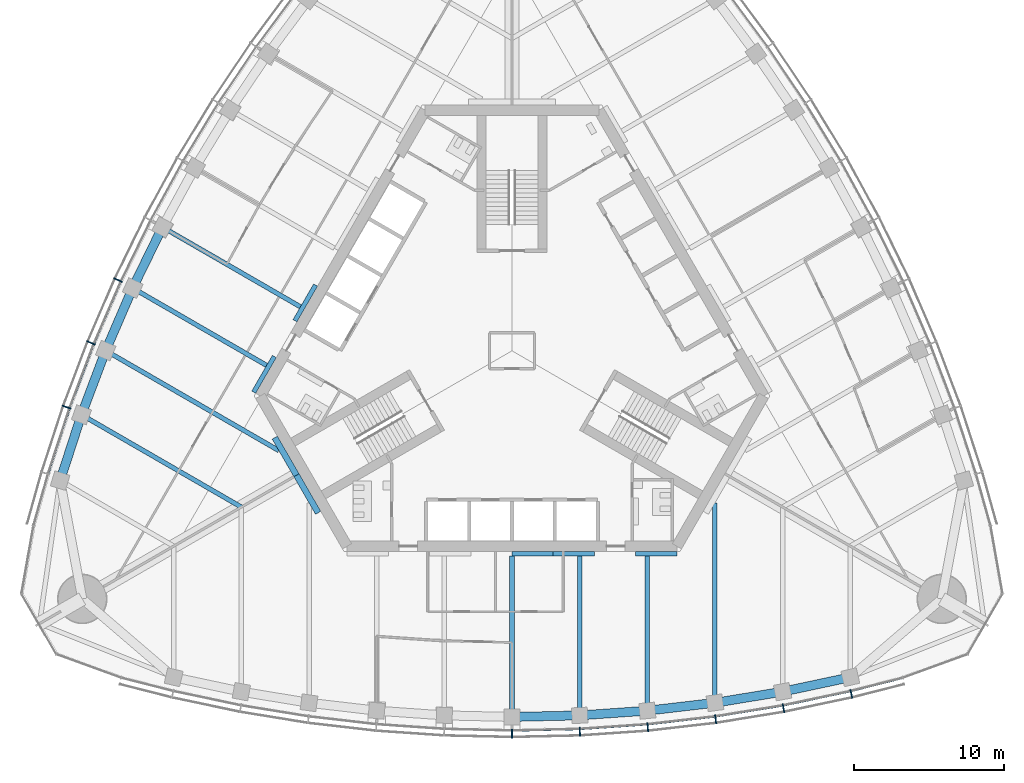
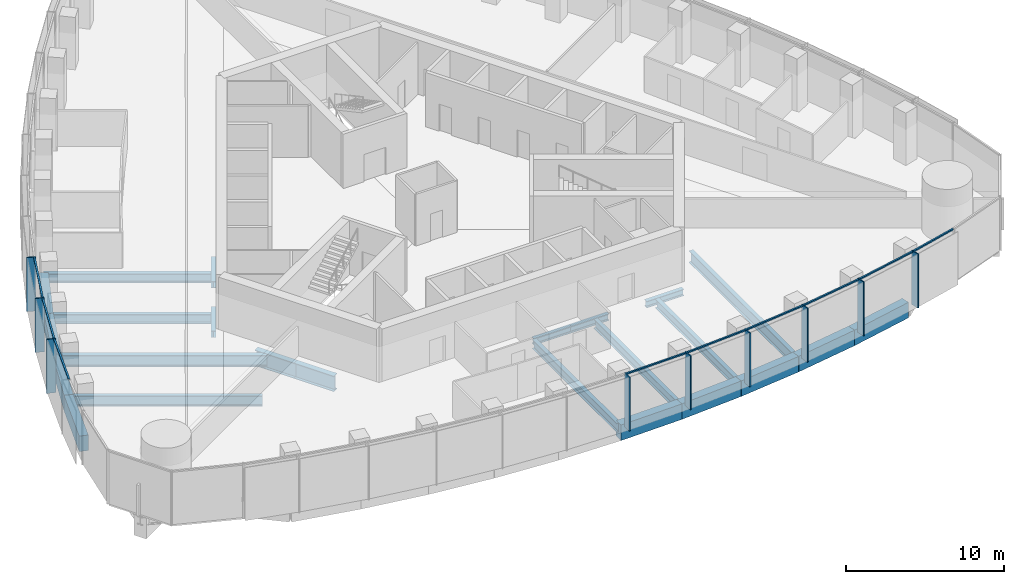
# One storey, part 3 of 19: 24 beams, 18 members, 2 elements without a shape of their own.
"""IFC4 building model written with IfcOpenShell, lengths in metres."""

from ifc_helpers import new_model, si_unit, direction, frame, origin, origin_2d, place, context, subcontext, project, spatial, rectangle, i_section, extrude, material, material_profile, profile_set, type_object, element, aggregate, save


model = new_model("IFC4")

# Units and contexts
model_context = context("Model", 3, precision=1e-05, world=origin(), true_north=direction((0.0, 1.0)))
body_context = subcontext(model_context, "Body", "Model", "MODEL_VIEW")
ifc_project = project(units=[si_unit("LENGTHUNIT", "METRE"), si_unit("AREAUNIT", "SQUARE_METRE"), si_unit("VOLUMEUNIT", "CUBIC_METRE"), si_unit("PLANEANGLEUNIT", "RADIAN"), si_unit("MASSUNIT", "GRAM", prefix="KILO")], contexts=[model_context])

# Site, building, storey
site_placement = place(None, origin())
site = spatial("IfcSite", under=ifc_project, at=site_placement, CompositionType="ELEMENT")
building_placement = place(site_placement, origin())
building = spatial("IfcBuilding", under=site, at=building_placement, Name="Trefoil Bronze Tower", CompositionType="ELEMENT")
storey_placement = place(building_placement, frame((0.0, 0.0, 240.10009765625)))
storey = spatial("IfcBuildingStorey", under=building, at=storey_placement, Name="L55", CompositionType="ELEMENT", Elevation=240.10009765625)

# Curtain wall, members
ifc_material_1 = material(Name="Tinted solar-control glass", Category="glass")
curtain_wall_type = type_object("IfcCurtainWallType", Name="Bronze office curtain wall", PredefinedType="USERDEFINED", material=ifc_material_1)
curtain_wall_1_placement = place(storey_placement, origin())
curtain_wall_1 = element("IfcCurtainWall", 1, at=curtain_wall_1_placement, inside=storey, type_object=curtain_wall_type, Name="CW-A L55 F1", ObjectType="CURTAIN WALL", PredefinedType="USERDEFINED")
ifc_material_2 = material(Name="Bronze-finish aluminium", Category="aluminium")
ifc_material_profile_1 = material_profile(ifc_material_2, rectangle(XDim=0.60009765625, YDim=0.080078125, at=origin_2d()), Name="CW-A mullion")
ifc_profile_set_1 = profile_set([ifc_material_profile_1], Name="Bronze-finish aluminium")
member_type_1 = type_object("IfcMemberType", Name="Bronze office curtain wall mullion", PredefinedType="MULLION", material=ifc_profile_set_1)
member_1_placement = place(storey_placement, frame((0.0, -25.45068359375, 0.0), z_axis=(0.0, 0.0, 1.0), x_axis=(0.0, 1.0, 0.0)))
member_1 = element("IfcMember", 2, at=member_1_placement, type_object=member_type_1, Name="CW-A L55 F1 mullion 7", PredefinedType="MULLION", context=body_context, shape_type="SweptSolid", body=[
    extrude(rectangle(XDim=0.60009765625, YDim=0.080078125, at=origin_2d()), origin(), (0.0, 0.0, 1.0), 4.179931640625),
])
member_2_placement = place(storey_placement, frame((4.513671875, -25.346923828125, 0.0), z_axis=(0.0, 0.0, 1.0), x_axis=(-0.045955542372, 0.998943485952, 0.0)))
member_2 = element("IfcMember", 3, at=member_2_placement, type_object=member_type_1, Name="CW-A L55 F1 mullion 8", PredefinedType="MULLION", context=body_context, shape_type="SweptSolid", body=[
    extrude(rectangle(XDim=0.60009765625, YDim=0.080078125, at=origin_2d()), origin(), (0.0, 0.0, 1.0), 4.179931640625),
])
member_3_placement = place(storey_placement, frame((9.027587890625, -25.03515625, 0.0), z_axis=(0.0, 0.0, 1.0), x_axis=(-0.091911396394, 0.995767189263, 0.0)))
member_3 = element("IfcMember", 4, at=member_3_placement, type_object=member_type_1, Name="CW-A L55 F1 mullion 9", PredefinedType="MULLION", context=body_context, shape_type="SweptSolid", body=[
    extrude(rectangle(XDim=0.60009765625, YDim=0.080078125, at=origin_2d()), origin(), (0.0, 0.0, 1.0), 4.179931640625),
])
member_4_placement = place(storey_placement, frame((13.541259765625, -24.51318359375, 0.0), z_axis=(0.0, 0.0, 1.0), x_axis=(-0.137867887204, 0.990450627582, 0.0)))
member_4 = element("IfcMember", 5, at=member_4_placement, type_object=member_type_1, Name="CW-A L55 F1 mullion 10", PredefinedType="MULLION", context=body_context, shape_type="SweptSolid", body=[
    extrude(rectangle(XDim=0.60009765625, YDim=0.080078125, at=origin_2d()), origin(), (0.0, 0.0, 1.0), 4.179931640625),
])
member_5_placement = place(storey_placement, frame((18.05517578125, -23.77783203125, 0.0), z_axis=(0.0, 0.0, 1.0), x_axis=(-0.183825368167, 0.982958917767, 0.0)))
member_5 = element("IfcMember", 6, at=member_5_placement, type_object=member_type_1, Name="CW-A L55 F1 mullion 11", PredefinedType="MULLION", context=body_context, shape_type="SweptSolid", body=[
    extrude(rectangle(XDim=0.60009765625, YDim=0.080078125, at=origin_2d()), origin(), (0.0, 0.0, 1.0), 4.179931640625),
])
member_6_placement = place(storey_placement, frame((22.568115234375, -22.82421875, 0.0), z_axis=(0.0, 0.0, 1.0), x_axis=(-0.227082662569, 0.973875487093, 0.0)))
member_6 = element("IfcMember", 7, at=member_6_placement, type_object=member_type_1, Name="CW-A L55 F1 mullion 12", PredefinedType="MULLION", context=body_context, shape_type="SweptSolid", body=[
    extrude(rectangle(XDim=0.60009765625, YDim=0.080078125, at=origin_2d()), origin(), (0.0, 0.0, 1.0), 4.179931640625),
])

curtain_wall_2_placement = place(storey_placement, origin())
curtain_wall_2 = element("IfcCurtainWall", 8, at=curtain_wall_2_placement, inside=storey, type_object=curtain_wall_type, Name="CW-A L55 F3", ObjectType="CURTAIN WALL", PredefinedType="USERDEFINED")
member_7_placement = place(storey_placement, frame((-26.19482421875, 4.699462890625, 0.0), z_axis=(0.0, 0.0, 1.0), x_axis=(0.908315380354, -0.418285990457, 0.0)))
member_7 = element("IfcMember", 9, at=member_7_placement, type_object=member_type_1, Name="CW-A L55 F3 mullion 9", PredefinedType="MULLION", context=body_context, shape_type="SweptSolid", body=[
    extrude(rectangle(XDim=0.60009765625, YDim=0.080078125, at=origin_2d()), origin(), (0.0, 0.0, 1.0), 4.179931640625),
])
member_8_placement = place(storey_placement, frame((-27.999755859375, 0.529541015625, 0.0), z_axis=(0.0, 0.0, 1.0), x_axis=(0.926689348282, -0.375828221106, 0.0)))
member_8 = element("IfcMember", 10, at=member_8_placement, type_object=member_type_1, Name="CW-A L55 F3 mullion 10", PredefinedType="MULLION", context=body_context, shape_type="SweptSolid", body=[
    extrude(rectangle(XDim=0.60009765625, YDim=0.080078125, at=origin_2d()), origin(), (0.0, 0.0, 1.0), 4.179931640625),
])
member_9_placement = place(storey_placement, frame((-29.619873046875, -3.747314453125, 0.0), z_axis=(0.0, 0.0, 1.0), x_axis=(0.943180077746, -0.332282020191, 0.0)))
member_9 = element("IfcMember", 11, at=member_9_placement, type_object=member_type_1, Name="CW-A L55 F3 mullion 11", PredefinedType="MULLION", context=body_context, shape_type="SweptSolid", body=[
    extrude(rectangle(XDim=0.60009765625, YDim=0.080078125, at=origin_2d()), origin(), (0.0, 0.0, 1.0), 4.179931640625),
])

# Member
ifc_material_3 = material(Name="Bronze-finish aluminium", Category="aluminium")
ifc_material_profile_2 = material_profile(ifc_material_3, rectangle(XDim=0.1201171875, YDim=0.10009765625, at=origin_2d()), Name="CW-A transom")
ifc_profile_set_2 = profile_set([ifc_material_profile_2], Name="Bronze-finish aluminium")
member_type_2 = type_object("IfcMemberType", Name="Bronze office curtain wall transom", PredefinedType="USERDEFINED", material=ifc_profile_set_2)
member_10_placement = place(storey_placement, frame((0.042236328125, -25.249755859375, 4.1298828125), z_axis=(0.999736131416, 0.022971015226, 0.0), x_axis=(-0.022971015226, 0.999736131416, 0.0)))
member_10 = element("IfcMember", 12, at=member_10_placement, type_object=member_type_2, Name="CW-A L55 F1 transom 7", ObjectType="TRANSOM", PredefinedType="USERDEFINED", context=body_context, shape_type="SweptSolid", body=[
    extrude(rectangle(XDim=0.1201171875, YDim=0.10009765625, at=origin_2d()), origin(), (0.0, 0.0, 1.0), 4.42138671875),
])

member_11_placement = place(storey_placement, frame((4.546875, -25.144287109375, 4.1298828125), z_axis=(0.997621320987, 0.06893257512, 0.0), x_axis=(-0.06893257512, 0.997621320987, 0.0)))
member_11 = element("IfcMember", 13, at=member_11_placement, type_object=member_type_2, Name="CW-A L55 F1 transom 8", ObjectType="TRANSOM", PredefinedType="USERDEFINED", context=body_context, shape_type="SweptSolid", body=[
    extrude(rectangle(XDim=0.1201171875, YDim=0.10009765625, at=origin_2d()), origin(), (0.0, 0.0, 1.0), 4.4306640625),
])

member_12_placement = place(storey_placement, frame((9.05126953125, -24.8310546875, 4.1298828125), z_axis=(0.993384885596, 0.114832352013, 0.0), x_axis=(-0.114832352013, 0.993384885596, 0.0)))
member_12 = element("IfcMember", 14, at=member_12_placement, type_object=member_type_2, Name="CW-A L55 F1 transom 9", ObjectType="TRANSOM", PredefinedType="USERDEFINED", context=body_context, shape_type="SweptSolid", body=[
    extrude(rectangle(XDim=0.1201171875, YDim=0.10009765625, at=origin_2d()), origin(), (0.0, 0.0, 1.0), 4.449951171875),
])

member_13_placement = place(storey_placement, frame((13.5556640625, -24.308349609375, 4.1298828125), z_axis=(0.986988367046, 0.160791676761, 0.0), x_axis=(-0.160791676761, 0.986988367046, 0.0)))
member_13 = element("IfcMember", 15, at=member_13_placement, type_object=member_type_2, Name="CW-A L55 F1 transom 10", ObjectType="TRANSOM", PredefinedType="USERDEFINED", context=body_context, shape_type="SweptSolid", body=[
    extrude(rectangle(XDim=0.1201171875, YDim=0.10009765625, at=origin_2d()), origin(), (0.0, 0.0, 1.0), 4.479248046875),
])

member_14_placement = place(storey_placement, frame((18.059814453125, -23.572509765625, 4.1298828125), z_axis=(0.978395325657, 0.20674280334, 0.0), x_axis=(-0.20674280334, 0.978395325657, 0.0)))
member_14 = element("IfcMember", 16, at=member_14_placement, type_object=member_type_2, Name="CW-A L55 F1 transom 11", ObjectType="TRANSOM", PredefinedType="USERDEFINED", context=body_context, shape_type="SweptSolid", body=[
    extrude(rectangle(XDim=0.1201171875, YDim=0.10009765625, at=origin_2d()), origin(), (0.0, 0.0, 1.0), 4.519287109375),
])

member_15_placement = place(storey_placement, frame((22.5634765625, -22.618896484375, 4.1298828125), z_axis=(0.968935220916, 0.247314653162, 0.0), x_axis=(-0.247314653162, 0.968935220916, 0.0)))
member_15 = element("IfcMember", 17, at=member_15_placement, type_object=member_type_2, Name="CW-A L55 F1 transom 12", ObjectType="TRANSOM", PredefinedType="USERDEFINED", context=body_context, shape_type="SweptSolid", body=[
    extrude(rectangle(XDim=0.1201171875, YDim=0.10009765625, at=origin_2d()), origin(), (0.0, 0.0, 1.0), 3.483642578125),
])

aggregate(curtain_wall_1, [member_1, member_2, member_3, member_4, member_5, member_6, member_10, member_11, member_12, member_13, member_14, member_15])

member_16_placement = place(storey_placement, frame((-26.030029296875, 4.576904296875, 4.1298828125), z_axis=(-0.397220936772, -0.917723012346, 0.0), x_axis=(0.917723012346, -0.397220936772, 0.0)))
member_16 = element("IfcMember", 18, at=member_16_placement, type_object=member_type_2, Name="CW-A L55 F3 transom 9", ObjectType="TRANSOM", PredefinedType="USERDEFINED", context=body_context, shape_type="SweptSolid", body=[
    extrude(rectangle(XDim=0.1201171875, YDim=0.10009765625, at=origin_2d()), origin(), (0.0, 0.0, 1.0), 4.449951171875),
])

member_17_placement = place(storey_placement, frame((-27.829345703125, 0.414794921875, 4.1298828125), z_axis=(-0.354263170896, -0.935145767112, 0.0), x_axis=(0.935145767112, -0.354263170896, 0.0)))
member_17 = element("IfcMember", 19, at=member_17_placement, type_object=member_type_2, Name="CW-A L55 F3 transom 10", ObjectType="TRANSOM", PredefinedType="USERDEFINED", context=body_context, shape_type="SweptSolid", body=[
    extrude(rectangle(XDim=0.1201171875, YDim=0.10009765625, at=origin_2d()), origin(), (0.0, 0.0, 1.0), 4.4794921875),
])

member_18_placement = place(storey_placement, frame((-29.4443359375, -3.85400390625, 4.1298828125), z_axis=(-0.310127806788, -0.950694874004, 0.0), x_axis=(0.950694874004, -0.310127806788, 0.0)))
member_18 = element("IfcMember", 20, at=member_18_placement, type_object=member_type_2, Name="CW-A L55 F3 transom 11", ObjectType="TRANSOM", PredefinedType="USERDEFINED", context=body_context, shape_type="SweptSolid", body=[
    extrude(rectangle(XDim=0.1201171875, YDim=0.10009765625, at=origin_2d()), origin(), (0.0, 0.0, 1.0), 4.51953125),
])

aggregate(curtain_wall_2, [member_7, member_8, member_9, member_16, member_17, member_18])

# Beams
ifc_material_4 = material(Name="Steel C355", Category="steel")
ifc_material_profile_3 = material_profile(ifc_material_4, i_section(OverallWidth=0.300048828125, OverallDepth=0.5, WebThickness=0.014404296875, FlangeThickness=0.028076171875, FilletRadius=0.027099609375, at=origin_2d()), Name="HEB 500")
ifc_profile_set_3 = profile_set([ifc_material_profile_3], Name="Steel C355")
beam_type_1 = type_object("IfcBeamType", Name="Core seat beam HEB 500", PredefinedType="BEAM", material=ifc_profile_set_3)
for number, where, z_axis, x_axis, name in (
    (21, (0.0, -13.5, -0.4501953125), (1.0, 0.0, 0.0), (0.0, 1.0, 0.0), "Core seat beam F1/+0 L55"),
    (22, (2.742431640625, -13.5, -0.4501953125), (1.0, 0.0, 0.0), (0.0, 1.0, 0.0), "Core seat beam F1/+1 L55"),
    (23, (8.227294921875, -13.5, -0.4501953125), (1.0, 0.0, 0.0), (0.0, 1.0, 0.0), "Core seat beam F1/+2 L55"),
    (24, (-13.0625, 4.375, -0.4501953125), (-0.500035825175, -0.866004719122, 0.0), (0.866004719122, -0.500035825175, 0.0), "Core seat beam F3/+1 L55"),
    (25, (-15.804931640625, -0.375, -0.4501953125), (-0.500035825175, -0.866004719122, 0.0), (0.866004719122, -0.500035825175, 0.0), "Core seat beam F3/+2 L55"),
):
    element("IfcBeam", number, at=place(storey_placement, frame(where, z_axis=z_axis, x_axis=x_axis)), inside=storey, type_object=beam_type_1, Name=name, PredefinedType="BEAM", context=body_context, shape_type="SweptSolid", body=[
        extrude(i_section(OverallWidth=0.300048828125, OverallDepth=0.5, WebThickness=0.014404296875, FlangeThickness=0.028076171875, FilletRadius=0.027099609375, at=origin_2d()), origin(), (0.0, 0.0, 1.0), 2.742431640625),
    ])
ifc_material_5 = material(Name="Steel C355", Category="steel")
ifc_material_profile_4 = material_profile(ifc_material_5, i_section(OverallWidth=0.39990234375, OverallDepth=1.199951171875, WebThickness=0.02001953125, FlangeThickness=0.0400390625, FilletRadius=0.010009765625, at=origin_2d()), Name="WPG 1200")
ifc_profile_set_4 = profile_set([ifc_material_profile_4], Name="Steel C355")
beam_type_2 = type_object("IfcBeamType", Name="Core seat beam WPG 1200", PredefinedType="BEAM", material=ifc_profile_set_4)
for number, where, z_axis, x_axis, name in (
    (26, (-14.332763671875, -8.27490234375, -0.800048828125), (0.499995765644, -0.866027848477, 0.0), (0.866027848477, 0.499995765644, 0.0), "Core seat beam F1/-3 L55"),
    (27, (-15.776123046875, -5.77490234375, -0.800048828125), (0.499995765644, -0.866027848477, 0.0), (0.866027848477, 0.499995765644, 0.0), "Core seat beam F3/+3 L55"),
):
    element("IfcBeam", number, at=place(storey_placement, frame(where, z_axis=z_axis, x_axis=x_axis)), inside=storey, type_object=beam_type_2, Name=name, PredefinedType="BEAM", context=body_context, shape_type="SweptSolid", body=[
        extrude(i_section(OverallWidth=0.39990234375, OverallDepth=1.199951171875, WebThickness=0.02001953125, FlangeThickness=0.0400390625, FilletRadius=0.010009765625, at=origin_2d()), origin(), (0.0, 0.0, 1.0), 2.88671875),
    ])
ifc_material_6 = material(Name="Steel C355", Category="steel")
ifc_material_profile_5 = material_profile(ifc_material_6, i_section(OverallWidth=0.300048828125, OverallDepth=0.699951171875, WebThickness=0.01708984375, FlangeThickness=0.031982421875, FilletRadius=0.027099609375, at=origin_2d()), Name="HEB 700")
ifc_profile_set_5 = profile_set([ifc_material_profile_5], Name="Steel C355")
beam_type_3 = type_object("IfcBeamType", Name="Floor beam HEB 700", PredefinedType="BEAM", material=ifc_profile_set_5)
beam_1_placement = place(storey_placement, frame((0.0, -24.3505859375, -0.550048828125), z_axis=(0.0, 1.0, 0.0), x_axis=(-1.0, 0.0, 0.0)))
element("IfcBeam", 28, at=beam_1_placement, inside=storey, type_object=beam_type_3, Name="Floor beam F1/+0 L55", PredefinedType="BEAM", context=body_context, shape_type="SweptSolid", body=[
    extrude(i_section(OverallWidth=0.300048828125, OverallDepth=0.699951171875, WebThickness=0.01708984375, FlangeThickness=0.031982421875, FilletRadius=0.027099609375, at=origin_2d()), origin(), (0.0, 0.0, 1.0), 10.70068359375),
])
beam_2_placement = place(storey_placement, frame((4.5, -24.246337890625, -0.550048828125), z_axis=(0.0, 1.0, 0.0), x_axis=(-1.0, 0.0, 0.0)))
element("IfcBeam", 29, at=beam_2_placement, inside=storey, type_object=beam_type_3, Name="Floor beam F1/+1 L55", PredefinedType="BEAM", context=body_context, shape_type="SweptSolid", body=[
    extrude(i_section(OverallWidth=0.300048828125, OverallDepth=0.699951171875, WebThickness=0.01708984375, FlangeThickness=0.031982421875, FilletRadius=0.027099609375, at=origin_2d()), origin(), (0.0, 0.0, 1.0), 10.596435546875),
])
beam_3_placement = place(storey_placement, frame((9.0, -23.932861328125, -0.550048828125), z_axis=(0.0, 1.0, 0.0), x_axis=(-1.0, 0.0, 0.0)))
element("IfcBeam", 30, at=beam_3_placement, inside=storey, type_object=beam_type_3, Name="Floor beam F1/+2 L55", PredefinedType="BEAM", context=body_context, shape_type="SweptSolid", body=[
    extrude(i_section(OverallWidth=0.300048828125, OverallDepth=0.699951171875, WebThickness=0.01708984375, FlangeThickness=0.031982421875, FilletRadius=0.027099609375, at=origin_2d()), origin(), (0.0, 0.0, 1.0), 10.282958984375),
])
beam_4_placement = place(storey_placement, frame((-23.248046875, 8.22607421875, -0.550048828125), z_axis=(0.86602981261, -0.499992363612, 0.0), x_axis=(0.499992363612, 0.86602981261, 0.0)))
element("IfcBeam", 31, at=beam_4_placement, inside=storey, type_object=beam_type_3, Name="Floor beam F3/+1 L55", PredefinedType="BEAM", context=body_context, shape_type="SweptSolid", body=[
    extrude(i_section(OverallWidth=0.300048828125, OverallDepth=0.699951171875, WebThickness=0.01708984375, FlangeThickness=0.031982421875, FilletRadius=0.027099609375, at=origin_2d()), origin(), (0.0, 0.0, 1.0), 10.596435546875),
])
beam_5_placement = place(storey_placement, frame((-25.2265625, 4.17236328125, -0.550048828125), z_axis=(0.866019527493, -0.500010177898, 0.0), x_axis=(0.500010177898, 0.866019527493, 0.0)))
element("IfcBeam", 32, at=beam_5_placement, inside=storey, type_object=beam_type_3, Name="Floor beam F3/+2 L55", PredefinedType="BEAM", context=body_context, shape_type="SweptSolid", body=[
    extrude(i_section(OverallWidth=0.300048828125, OverallDepth=0.699951171875, WebThickness=0.01708984375, FlangeThickness=0.031982421875, FilletRadius=0.027099609375, at=origin_2d()), origin(), (0.0, 0.0, 1.0), 10.282958984375),
])
ifc_material_7 = material(Name="Steel C355", Category="steel")
ifc_material_profile_6 = material_profile(ifc_material_7, i_section(OverallWidth=0.300048828125, OverallDepth=0.800048828125, WebThickness=0.017578125, FlangeThickness=0.032958984375, FilletRadius=0.030029296875, at=origin_2d()), Name="HEB 800")
ifc_profile_set_6 = profile_set([ifc_material_profile_6], Name="Steel C355")
beam_type_4 = type_object("IfcBeamType", Name="Floor beam HEB 800", PredefinedType="BEAM", material=ifc_profile_set_6)
beam_6_placement = place(storey_placement, frame((-28.632080078125, -4.25390625, -0.60009765625), z_axis=(0.866025635187, -0.499999599199, 0.0), x_axis=(0.499999599199, 0.866025635187, 0.0)))
element("IfcBeam", 33, at=beam_6_placement, inside=storey, type_object=beam_type_4, Name="Floor beam F3/+4 L55", PredefinedType="BEAM", context=body_context, shape_type="SweptSolid", body=[
    extrude(i_section(OverallWidth=0.300048828125, OverallDepth=0.800048828125, WebThickness=0.017578125, FlangeThickness=0.032958984375, FilletRadius=0.030029296875, at=origin_2d()), origin(), (0.0, 0.0, 1.0), 12.27685546875),
])
ifc_material_8 = material(Name="Steel C355", Category="steel")
ifc_material_profile_7 = material_profile(ifc_material_8, i_section(OverallWidth=0.300048828125, OverallDepth=0.89990234375, WebThickness=0.0185546875, FlangeThickness=0.034912109375, FilletRadius=0.030029296875, at=origin_2d()), Name="HEB 900")
ifc_profile_set_7 = profile_set([ifc_material_profile_7], Name="Steel C355")
beam_type_5 = type_object("IfcBeamType", Name="Floor beam HEB 900", PredefinedType="BEAM", material=ifc_profile_set_7)
for number, where, z_axis, x_axis, name in (
    (34, (13.5, -23.408447265625, -0.650146484375), (0.0, 1.0, 0.0), (-1.0, 0.0, 0.0), "Floor beam F1/+3 L55"),
    (35, (-27.022216796875, 0.012939453125, -0.650146484375), (0.866023461342, -0.500003364394, 0.0), (0.500003364394, 0.866023461342, 0.0), "Floor beam F3/+3 L55"),
):
    element("IfcBeam", number, at=place(storey_placement, frame(where, z_axis=z_axis, x_axis=x_axis)), inside=storey, type_object=beam_type_5, Name=name, PredefinedType="BEAM", context=body_context, shape_type="SweptSolid", body=[
        extrude(i_section(OverallWidth=0.300048828125, OverallDepth=0.89990234375, WebThickness=0.0185546875, FlangeThickness=0.034912109375, FilletRadius=0.030029296875, at=origin_2d()), origin(), (0.0, 0.0, 1.0), 13.291015625),
    ])
ifc_material_9 = material(Name="Concrete B80", Category="concrete")
ifc_material_profile_8 = material_profile(ifc_material_9, rectangle(XDim=0.60009765625, YDim=1.199951171875, at=origin_2d()), Name="RC 600x1200")
ifc_profile_set_8 = profile_set([ifc_material_profile_8], Name="Concrete B80")
beam_type_6 = type_object("IfcBeamType", Name="Spandrel beam RC 600x1200", PredefinedType="SPANDREL", material=ifc_profile_set_8)
beam_7_placement = place(storey_placement, frame((0.0, -24.3505859375, -0.800048828125), z_axis=(0.999731770792, 0.023160018779, 0.0), x_axis=(-0.023160018779, 0.999731770792, 0.0)))
element("IfcBeam", 36, at=beam_7_placement, inside=storey, type_object=beam_type_6, Name="Spandrel F1.7 L55", PredefinedType="SPANDREL", context=body_context, shape_type="SweptSolid", body=[
    extrude(rectangle(XDim=0.60009765625, YDim=1.199951171875, at=origin_2d()), origin(), (0.0, 0.0, 1.0), 4.501220703125),
])
beam_8_placement = place(storey_placement, frame((4.5, -24.246337890625, -0.800048828125), z_axis=(0.997582435881, 0.069493047291, 0.0), x_axis=(-0.069493047291, 0.997582435881, 0.0)))
element("IfcBeam", 37, at=beam_8_placement, inside=storey, type_object=beam_type_6, Name="Spandrel F1.8 L55", PredefinedType="SPANDREL", context=body_context, shape_type="SweptSolid", body=[
    extrude(rectangle(XDim=0.60009765625, YDim=1.199951171875, at=origin_2d()), origin(), (0.0, 0.0, 1.0), 4.510986328125),
])
beam_9_placement = place(storey_placement, frame((9.0, -23.932861328125, -0.800048828125), z_axis=(0.993278017132, 0.115753102257, 0.0), x_axis=(-0.115753102257, 0.993278017132, 0.0)))
element("IfcBeam", 38, at=beam_9_placement, inside=storey, type_object=beam_type_6, Name="Spandrel F1.9 L55", PredefinedType="SPANDREL", context=body_context, shape_type="SweptSolid", body=[
    extrude(rectangle(XDim=0.60009765625, YDim=1.199951171875, at=origin_2d()), origin(), (0.0, 0.0, 1.0), 4.530517578125),
])
beam_10_placement = place(storey_placement, frame((13.5, -23.408447265625, -0.800048828125), z_axis=(0.986764681833, 0.162158757664, 0.0), x_axis=(-0.162158757664, 0.986764681833, 0.0)))
element("IfcBeam", 39, at=beam_10_placement, inside=storey, type_object=beam_type_6, Name="Spandrel F1.10 L55", PredefinedType="SPANDREL", context=body_context, shape_type="SweptSolid", body=[
    extrude(rectangle(XDim=0.60009765625, YDim=1.199951171875, at=origin_2d()), origin(), (0.0, 0.0, 1.0), 4.560302734375),
])
beam_11_placement = place(storey_placement, frame((18.0, -22.6689453125, -0.800048828125), z_axis=(0.978059483036, 0.208325820877, 0.0), x_axis=(-0.208325820877, 0.978059483036, 0.0)))
element("IfcBeam", 40, at=beam_11_placement, inside=storey, type_object=beam_type_6, Name="Spandrel F1.11 L55", PredefinedType="SPANDREL", context=body_context, shape_type="SweptSolid", body=[
    extrude(rectangle(XDim=0.60009765625, YDim=1.199951171875, at=origin_2d()), origin(), (0.0, 0.0, 1.0), 4.600830078125),
])
beam_12_placement = place(storey_placement, frame((-23.248046875, 8.22607421875, -0.800048828125), z_axis=(-0.438619830351, -0.898672712629, 0.0), x_axis=(0.898672712629, -0.438619830351, 0.0)))
element("IfcBeam", 41, at=beam_12_placement, inside=storey, type_object=beam_type_6, Name="Spandrel F3.8 L55", PredefinedType="SPANDREL", context=body_context, shape_type="SweptSolid", body=[
    extrude(rectangle(XDim=0.60009765625, YDim=1.199951171875, at=origin_2d()), origin(), (0.0, 0.0, 1.0), 4.5107421875),
])
beam_13_placement = place(storey_placement, frame((-25.2265625, 4.17236328125, -0.800048828125), z_axis=(-0.396350337164, -0.918099346602, 0.0), x_axis=(0.918099346602, -0.396350337164, 0.0)))
element("IfcBeam", 42, at=beam_13_placement, inside=storey, type_object=beam_type_6, Name="Spandrel F3.9 L55", PredefinedType="SPANDREL", context=body_context, shape_type="SweptSolid", body=[
    extrude(rectangle(XDim=0.60009765625, YDim=1.199951171875, at=origin_2d()), origin(), (0.0, 0.0, 1.0), 4.530517578125),
])
beam_14_placement = place(storey_placement, frame((-27.022216796875, 0.012939453125, -0.800048828125), z_axis=(-0.353005969632, -0.935621069346, 0.0), x_axis=(0.935621069346, -0.353005969632, 0.0)))
element("IfcBeam", 43, at=beam_14_placement, inside=storey, type_object=beam_type_6, Name="Spandrel F3.10 L55", PredefinedType="SPANDREL", context=body_context, shape_type="SweptSolid", body=[
    extrude(rectangle(XDim=0.60009765625, YDim=1.199951171875, at=origin_2d()), origin(), (0.0, 0.0, 1.0), 4.560546875),
])
beam_15_placement = place(storey_placement, frame((-28.632080078125, -4.25390625, -0.800048828125), z_axis=(-0.308608505504, -0.951189145402, 0.0), x_axis=(0.951189145402, -0.308608505504, 0.0)))
element("IfcBeam", 44, at=beam_15_placement, inside=storey, type_object=beam_type_6, Name="Spandrel F3.11 L55", PredefinedType="SPANDREL", context=body_context, shape_type="SweptSolid", body=[
    extrude(rectangle(XDim=0.60009765625, YDim=1.199951171875, at=origin_2d()), origin(), (0.0, 0.0, 1.0), 4.60107421875),
])

save(model, "model.ifc")
